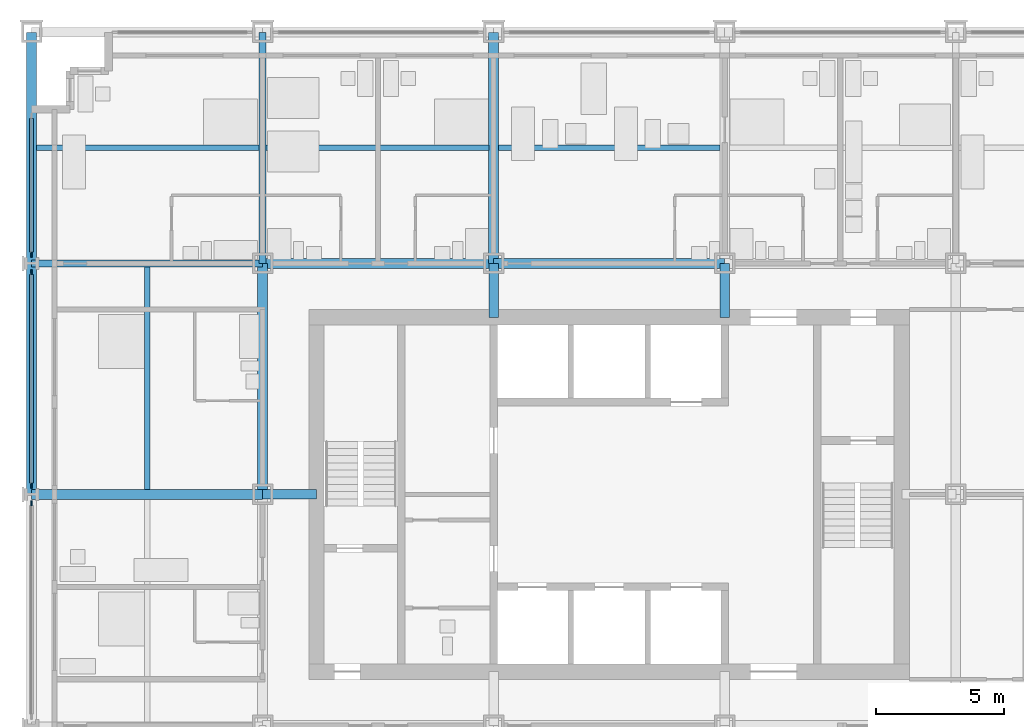
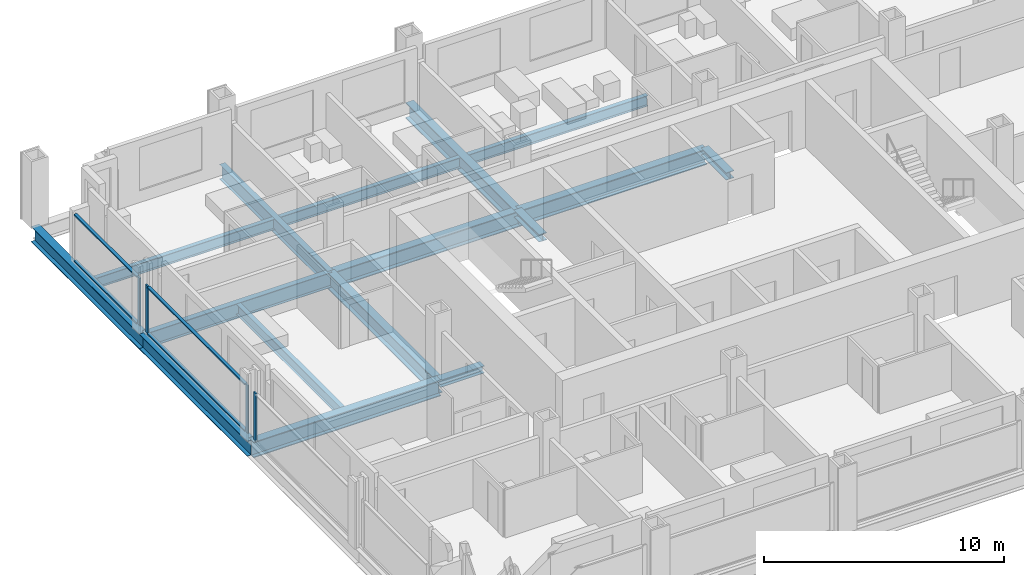
# One storey, part 4 of 18: 13 beams, 11 members, 3 elements without a shape of their own.
"""IFC4 building model written with IfcOpenShell, lengths in metres."""

from ifc_helpers import new_model, si_unit, direction, frame, origin, origin_2d, place, context, subcontext, project, spatial, rectangle, i_section, extrude, material, material_profile, profile_set, type_object, element, aggregate, save


model = new_model("IFC4")

# Units and contexts
model_context = context("Model", 3, precision=1e-05, world=origin(), true_north=direction((0.0, 1.0)))
body_context = subcontext(model_context, "Body", "Model", "MODEL_VIEW")
ifc_project = project(units=[si_unit("LENGTHUNIT", "METRE"), si_unit("AREAUNIT", "SQUARE_METRE"), si_unit("VOLUMEUNIT", "CUBIC_METRE"), si_unit("PLANEANGLEUNIT", "RADIAN"), si_unit("MASSUNIT", "GRAM", prefix="KILO")], contexts=[model_context])

# Site, building, storey
site_placement = place(None, origin())
site = spatial("IfcSite", under=ifc_project, at=site_placement, CompositionType="ELEMENT")
building_placement = place(site_placement, origin())
building = spatial("IfcBuilding", under=site, at=building_placement, Name="Loomwork Tower", CompositionType="ELEMENT")
storey_placement = place(building_placement, frame((0.0, 0.0, 31.39990234375)))
storey = spatial("IfcBuildingStorey", under=building, at=storey_placement, Name="L06", CompositionType="ELEMENT", Elevation=31.39990234375)

# Beams
ifc_material_1 = material(Name="Steel ASTM A992", Category="steel")
ifc_material_profile_1 = material_profile(ifc_material_1, i_section(OverallWidth=0.383544921875, OverallDepth=0.794921875, WebThickness=0.02099609375, FlangeThickness=0.0380859375, at=origin_2d()), Name="W30x235")
ifc_profile_set_1 = profile_set([ifc_material_profile_1], Name="Steel ASTM A992")
beam_type_1 = type_object("IfcBeamType", Name="CORE FLANK GIRDER W30x235", PredefinedType="BEAM", material=ifc_profile_set_1)
for number, where, z_axis, x_axis, name in (
    (1, (0.0, 18.0, -0.597412109375), (1.0, 0.0, 0.0), (0.0, 1.0, 0.0), "Core Flank Girder F/2-F/3 L06"),
    (2, (9.0, 27.0, -0.597412109375), (1.0, 0.0, 0.0), (0.0, 1.0, 0.0), "Core Flank Girder G/3-G/4 L06"),
    (3, (18.0, 27.0, -0.597412109375), (1.0, 0.0, 0.0), (0.0, 1.0, 0.0), "Core Flank Girder G/4-G/5 L06"),
    (4, (9.0, 18.0, -0.597412109375), (0.0, 1.0, 0.0), (-1.0, 0.0, 0.0), "Core Flank Girder F/3-G/3 L06"),
    (5, (18.0, 27.0, -0.597412109375), (0.0, 1.0, 0.0), (-1.0, 0.0, 0.0), "Core Flank Girder G/4-H/4 L06"),
):
    element("IfcBeam", number, at=place(storey_placement, frame(where, z_axis=z_axis, x_axis=x_axis)), inside=storey, type_object=beam_type_1, Name=name, PredefinedType="BEAM", context=body_context, shape_type="SweptSolid", body=[
        extrude(i_section(OverallWidth=0.383544921875, OverallDepth=0.794921875, WebThickness=0.02099609375, FlangeThickness=0.0380859375, at=origin_2d()), origin(), (0.0, 0.0, 1.0), 9.0),
    ])

# Members
ifc_material_2 = material(Name="Steel ASTM A992", Category="steel")
ifc_material_profile_2 = material_profile(ifc_material_2, i_section(OverallWidth=0.373291015625, OverallDepth=0.373291015625, WebThickness=0.016357421875, FlangeThickness=0.026123046875, at=origin_2d()), Name="W14x132")
ifc_profile_set_2 = profile_set([ifc_material_profile_2], Name="Steel ASTM A992")
member_type_1 = type_object("IfcMemberType", Name="CORE LINK STRUT W14x132", PredefinedType="STRUT", material=ifc_profile_set_2)
for number, where, z_axis, x_axis, name in (
    (6, (27.0, 27.0, -0.386474609375), (0.0, -1.0, 0.0), (1.0, 0.0, 0.0), "Core link strut G/5-27.000,24.900 L06"),
    (7, (18.0, 27.0, -0.386474609375), (0.0, -1.0, 0.0), (1.0, 0.0, 0.0), "Core link strut G/4-18.000,24.900 L06"),
    (8, (9.0, 18.0, -0.386474609375), (1.0, 0.0, 0.0), (0.0, 1.0, 0.0), "Core link strut F/3-11.100,18.000 L06"),
):
    element("IfcMember", number, at=place(storey_placement, frame(where, z_axis=z_axis, x_axis=x_axis)), inside=storey, type_object=member_type_1, Name=name, PredefinedType="STRUT", context=body_context, shape_type="SweptSolid", body=[
        extrude(i_section(OverallWidth=0.373291015625, OverallDepth=0.373291015625, WebThickness=0.016357421875, FlangeThickness=0.026123046875, at=origin_2d()), origin(), (0.0, 0.0, 1.0), 2.10009765625),
    ])

# Beams
ifc_material_3 = material(Name="Steel ASTM A992", Category="steel")
ifc_material_profile_3 = material_profile(ifc_material_3, i_section(OverallWidth=0.2666015625, OverallDepth=0.761962890625, WebThickness=0.014404296875, FlangeThickness=0.021484375, at=origin_2d()), Name="W30x116")
ifc_profile_set_3 = profile_set([ifc_material_profile_3], Name="Steel ASTM A992")
beam_type_2 = type_object("IfcBeamType", Name="FLOOR GIRDER W30x116", PredefinedType="BEAM", material=ifc_profile_set_3)
for number, where, z_axis, x_axis, name in (
    (9, (0.0, 27.0, -0.580810546875), (1.0, 0.0, 0.0), (0.0, 1.0, 0.0), "Floor Girder G/2-G/3 L06"),
    (10, (9.0, 27.0, -0.580810546875), (0.0, 1.0, 0.0), (-1.0, 0.0, 0.0), "Floor Girder G/3-H/3 L06"),
):
    element("IfcBeam", number, at=place(storey_placement, frame(where, z_axis=z_axis, x_axis=x_axis)), inside=storey, type_object=beam_type_2, Name=name, PredefinedType="BEAM", context=body_context, shape_type="SweptSolid", body=[
        extrude(i_section(OverallWidth=0.2666015625, OverallDepth=0.761962890625, WebThickness=0.014404296875, FlangeThickness=0.021484375, at=origin_2d()), origin(), (0.0, 0.0, 1.0), 9.0),
    ])
ifc_material_4 = material(Name="Steel ASTM A992", Category="steel")
ifc_material_profile_4 = material_profile(ifc_material_4, i_section(OverallWidth=0.2109375, OverallDepth=0.53857421875, WebThickness=0.011474609375, FlangeThickness=0.018798828125, at=origin_2d()), Name="W21x73")
ifc_profile_set_4 = profile_set([ifc_material_profile_4], Name="Steel ASTM A992")
beam_type_3 = type_object("IfcBeamType", Name="FLOOR JOIST W21x73", PredefinedType="JOIST", material=ifc_profile_set_4)
beam_1_placement = place(storey_placement, frame((4.5, 18.19091796875, -0.46923828125), z_axis=(0.0, 1.0, 0.0), x_axis=(-1.0, 0.0, 0.0)))
element("IfcBeam", 11, at=beam_1_placement, inside=storey, type_object=beam_type_3, Name="Floor Joist 4.500,18.000-4.500,27.000 L06", PredefinedType="JOIST", context=body_context, shape_type="SweptSolid", body=[
    extrude(i_section(OverallWidth=0.2109375, OverallDepth=0.53857421875, WebThickness=0.011474609375, FlangeThickness=0.018798828125, at=origin_2d()), origin(), (0.0, 0.0, 1.0), 8.676025390625),
])
beam_2_placement = place(storey_placement, frame((0.18994140625, 31.5, -0.46923828125), z_axis=(1.0, 0.0, 0.0), x_axis=(0.0, 1.0, 0.0)))
element("IfcBeam", 12, at=beam_2_placement, inside=storey, type_object=beam_type_3, Name="Floor Joist 0.000,31.500-9.000,31.500 L06", PredefinedType="JOIST", context=body_context, shape_type="SweptSolid", body=[
    extrude(i_section(OverallWidth=0.2109375, OverallDepth=0.53857421875, WebThickness=0.011474609375, FlangeThickness=0.018798828125, at=origin_2d()), origin(), (0.0, 0.0, 1.0), 8.677001953125),
])
beam_3_placement = place(storey_placement, frame((9.133056640625, 31.5, -0.46923828125), z_axis=(1.0, 0.0, 0.0), x_axis=(0.0, 1.0, 0.0)))
element("IfcBeam", 13, at=beam_3_placement, inside=storey, type_object=beam_type_3, Name="Floor Joist 9.000,31.500-18.000,31.500 L06", PredefinedType="JOIST", context=body_context, shape_type="SweptSolid", body=[
    extrude(i_section(OverallWidth=0.2109375, OverallDepth=0.53857421875, WebThickness=0.011474609375, FlangeThickness=0.018798828125, at=origin_2d()), origin(), (0.0, 0.0, 1.0), 8.676025390625),
])
beam_4_placement = place(storey_placement, frame((18.19091796875, 31.5, -0.46923828125), z_axis=(1.0, 0.0, 0.0), x_axis=(0.0, 1.0, 0.0)))
element("IfcBeam", 14, at=beam_4_placement, inside=storey, type_object=beam_type_3, Name="Floor Joist 18.000,31.500-27.000,31.500 L06", PredefinedType="JOIST", context=body_context, shape_type="SweptSolid", body=[
    extrude(i_section(OverallWidth=0.2109375, OverallDepth=0.53857421875, WebThickness=0.011474609375, FlangeThickness=0.018798828125, at=origin_2d()), origin(), (0.0, 0.0, 1.0), 8.6181640625),
])

# Curtain wall, member
ifc_material_5 = material(Name="Aluminium curtain wall frame", Category="aluminium")
curtain_wall_type = type_object("IfcCurtainWallType", Name="Outer skin glazing hotel", PredefinedType="NOTDEFINED", material=ifc_material_5)
curtain_wall_1_placement = place(storey_placement, origin())
curtain_wall_1 = element("IfcCurtainWall", 15, at=curtain_wall_1_placement, inside=storey, type_object=curtain_wall_type, Name="Outer skin glazing hotel cw/W-9", PredefinedType="NOTDEFINED")
ifc_material_6 = material(Name="Aluminium curtain wall frame", Category="aluminium")
ifc_material_profile_5 = material_profile(ifc_material_6, rectangle(XDim=0.06494140625, YDim=0.199951171875, at=origin_2d()), Name="AL 65x200")
ifc_profile_set_5 = profile_set([ifc_material_profile_5], Name="Aluminium curtain wall frame")
member_type_2 = type_object("IfcMemberType", Name="Outer skin glazing hotel mullion", PredefinedType="MULLION", material=ifc_profile_set_5)
member_1_placement = place(storey_placement, frame((0.0, 17.6611328125, 0.0), z_axis=(0.0, 0.0, 1.0), x_axis=(1.0, 0.0, 0.0)))
member_1 = element("IfcMember", 16, at=member_1_placement, type_object=member_type_2, Name="CW1 mullion 1", PredefinedType="MULLION", context=body_context, shape_type="SweptSolid", body=[
    extrude(rectangle(XDim=0.06494140625, YDim=0.199951171875, at=origin_2d()), origin(), (0.0, 0.0, 1.0), 2.42041015625),
])
aggregate(curtain_wall_1, [member_1])

# Curtain wall, members
curtain_wall_2_placement = place(storey_placement, origin())
curtain_wall_2 = element("IfcCurtainWall", 17, at=curtain_wall_2_placement, inside=storey, type_object=curtain_wall_type, Name="Outer skin glazing hotel cw/W-18", PredefinedType="NOTDEFINED")
member_2_placement = place(storey_placement, frame((0.0, 26.6611328125, 0.0), z_axis=(0.0, 0.0, 1.0), x_axis=(1.0, 0.0, 0.0)))
member_2 = element("IfcMember", 18, at=member_2_placement, type_object=member_type_2, Name="CW1 mullion 1", PredefinedType="MULLION", context=body_context, shape_type="SweptSolid", body=[
    extrude(rectangle(XDim=0.06494140625, YDim=0.199951171875, at=origin_2d()), origin(), (0.0, 0.0, 1.0), 2.42041015625),
])
member_3_placement = place(storey_placement, frame((0.0, 18.3388671875, 0.0), z_axis=(0.0, 0.0, 1.0), x_axis=(1.0, 0.0, 0.0)))
member_3 = element("IfcMember", 19, at=member_3_placement, type_object=member_type_2, Name="CW1 mullion 2", PredefinedType="MULLION", context=body_context, shape_type="SweptSolid", body=[
    extrude(rectangle(XDim=0.06494140625, YDim=0.199951171875, at=origin_2d()), origin(), (0.0, 0.0, 1.0), 2.42041015625),
])

# Curtain wall, member
curtain_wall_3_placement = place(storey_placement, origin())
curtain_wall_3 = element("IfcCurtainWall", 20, at=curtain_wall_3_placement, inside=storey, type_object=curtain_wall_type, Name="Outer skin glazing hotel cw/W-27", PredefinedType="NOTDEFINED")
member_4_placement = place(storey_placement, frame((0.0, 27.3388671875, 0.0), z_axis=(0.0, 0.0, 1.0), x_axis=(1.0, 0.0, 0.0)))
member_4 = element("IfcMember", 21, at=member_4_placement, type_object=member_type_2, Name="CW1 mullion 2", PredefinedType="MULLION", context=body_context, shape_type="SweptSolid", body=[
    extrude(rectangle(XDim=0.06494140625, YDim=0.199951171875, at=origin_2d()), origin(), (0.0, 0.0, 1.0), 2.42041015625),
])

# Member
ifc_material_7 = material(Name="Aluminium curtain wall frame", Category="aluminium")
ifc_material_profile_6 = material_profile(ifc_material_7, rectangle(XDim=0.14990234375, YDim=0.06494140625, at=origin_2d()), Name="AL 65x150")
ifc_profile_set_6 = profile_set([ifc_material_profile_6], Name="Aluminium curtain wall frame")
member_type_3 = type_object("IfcMemberType", Name="Outer skin glazing hotel transom", PredefinedType="USERDEFINED", material=ifc_profile_set_6)
member_5_placement = place(storey_placement, frame((0.0, 26.561279296875, 0.03271484375), z_axis=(0.0, -1.0, 0.0), x_axis=(1.0, 0.0, 0.0)))
member_5 = element("IfcMember", 22, at=member_5_placement, type_object=member_type_3, Name="CW1 transom 1.1", ObjectType="TRANSOM", PredefinedType="USERDEFINED", context=body_context, shape_type="SweptSolid", body=[
    extrude(rectangle(XDim=0.14990234375, YDim=0.06494140625, at=origin_2d()), origin(), (0.0, 0.0, 1.0), 8.12255859375),
])

member_6_placement = place(storey_placement, frame((0.0, 26.561279296875, 2.3876953125), z_axis=(0.0, -1.0, 0.0), x_axis=(1.0, 0.0, 0.0)))
member_6 = element("IfcMember", 23, at=member_6_placement, type_object=member_type_3, Name="CW1 transom 1.2", ObjectType="TRANSOM", PredefinedType="USERDEFINED", context=body_context, shape_type="SweptSolid", body=[
    extrude(rectangle(XDim=0.14990234375, YDim=0.06494140625, at=origin_2d()), origin(), (0.0, 0.0, 1.0), 8.12255859375),
])

aggregate(curtain_wall_2, [member_2, member_3, member_5, member_6])

member_7_placement = place(storey_placement, frame((0.0, 32.64990234375, 0.03271484375), z_axis=(0.0, -1.0, 0.0), x_axis=(1.0, 0.0, 0.0)))
member_7 = element("IfcMember", 24, at=member_7_placement, type_object=member_type_3, Name="CW1 transom 1.1", ObjectType="TRANSOM", PredefinedType="USERDEFINED", context=body_context, shape_type="SweptSolid", body=[
    extrude(rectangle(XDim=0.14990234375, YDim=0.06494140625, at=origin_2d()), origin(), (0.0, 0.0, 1.0), 5.211181640625),
])

member_8_placement = place(storey_placement, frame((0.0, 32.64990234375, 2.3876953125), z_axis=(0.0, -1.0, 0.0), x_axis=(1.0, 0.0, 0.0)))
member_8 = element("IfcMember", 25, at=member_8_placement, type_object=member_type_3, Name="CW1 transom 1.2", ObjectType="TRANSOM", PredefinedType="USERDEFINED", context=body_context, shape_type="SweptSolid", body=[
    extrude(rectangle(XDim=0.14990234375, YDim=0.06494140625, at=origin_2d()), origin(), (0.0, 0.0, 1.0), 5.211181640625),
])

aggregate(curtain_wall_3, [member_4, member_7, member_8])

# Beams
ifc_material_8 = material(Name="Steel ASTM A992", Category="steel")
ifc_material_profile_7 = material_profile(ifc_material_8, i_section(OverallWidth=0.381103515625, OverallDepth=0.77978515625, WebThickness=0.01806640625, FlangeThickness=0.0302734375, at=origin_2d()), Name="W30x191")
ifc_profile_set_7 = profile_set([ifc_material_profile_7], Name="Steel ASTM A992")
beam_type_4 = type_object("IfcBeamType", Name="SPANDREL GIRDER W30x191", PredefinedType="SPANDREL", material=ifc_profile_set_7)
for number, where, z_axis, x_axis, name in (
    (26, (0.0, 18.0, -0.58984375), (0.0, 1.0, 0.0), (-1.0, 0.0, 0.0), "Spandrel Girder F/2-G/2 L06"),
    (27, (0.0, 27.0, -0.58984375), (0.0, 1.0, 0.0), (-1.0, 0.0, 0.0), "Spandrel Girder G/2-H/2 L06"),
):
    element("IfcBeam", number, at=place(storey_placement, frame(where, z_axis=z_axis, x_axis=x_axis)), inside=storey, type_object=beam_type_4, Name=name, PredefinedType="SPANDREL", context=body_context, shape_type="SweptSolid", body=[
        extrude(i_section(OverallWidth=0.381103515625, OverallDepth=0.77978515625, WebThickness=0.01806640625, FlangeThickness=0.0302734375, at=origin_2d()), origin(), (0.0, 0.0, 1.0), 9.0),
    ])

save(model, "model.ifc")
